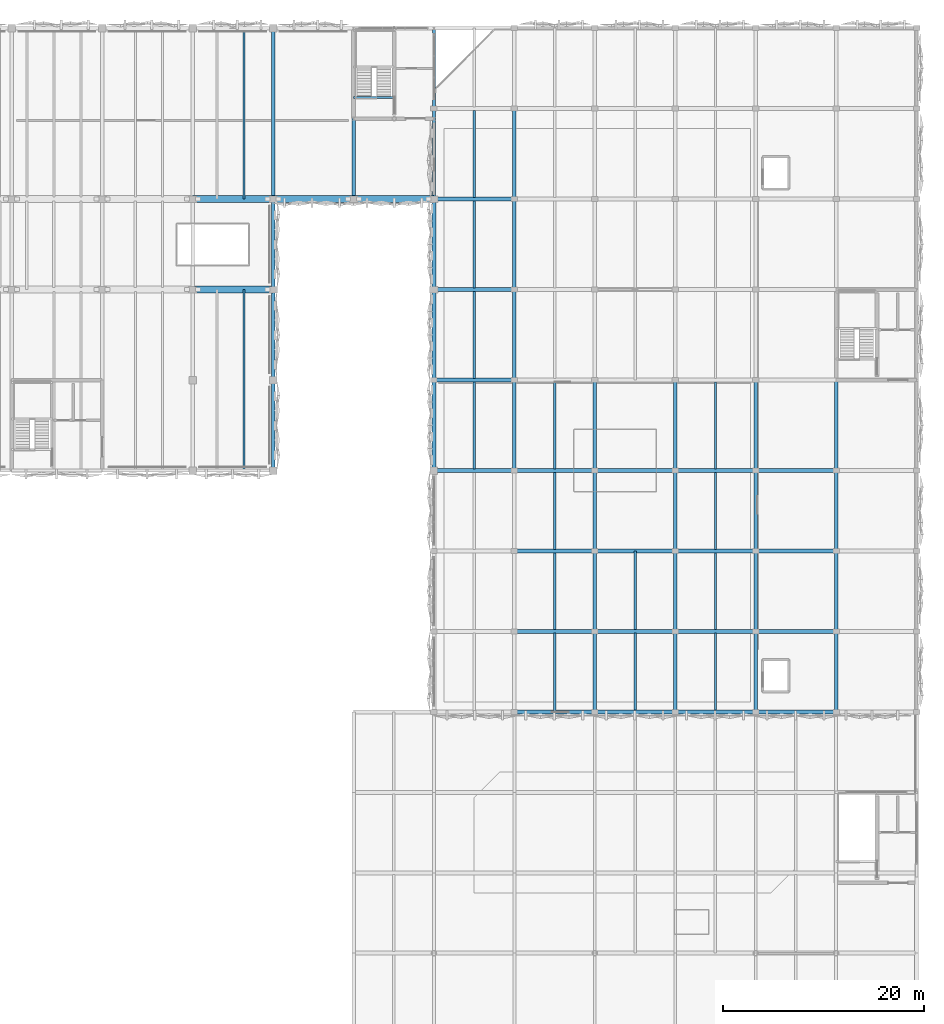
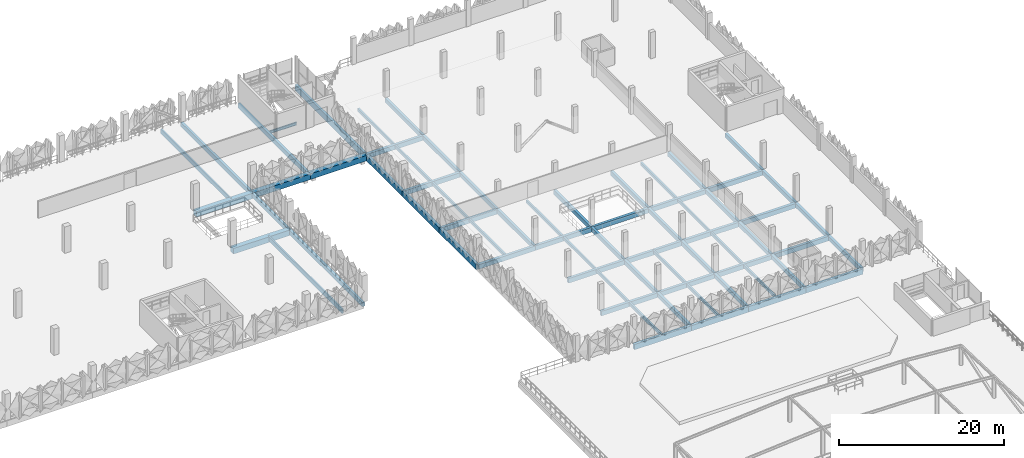
# One storey, part 24 of 76: 69 beams.
"""IFC4 building model written with IfcOpenShell, lengths in metres."""

from ifc_helpers import new_model, si_unit, derived_unit, direction, frame, origin, origin_2d, place, context, subcontext, project, spatial, rectangle, i_section, extrude, material, material_profile, profile_set, type_object, element, save


model = new_model("IFC4")

# Units and contexts
model_context = context("Model", 3, precision=1e-05, world=origin(), true_north=direction((0.0, 1.0)))
body_context = subcontext(model_context, "Body", "Model", "MODEL_VIEW")
ifc_project = project(units=[si_unit("LENGTHUNIT", "METRE"), si_unit("AREAUNIT", "SQUARE_METRE"), si_unit("VOLUMEUNIT", "CUBIC_METRE"), si_unit("PLANEANGLEUNIT", "RADIAN"), si_unit("MASSUNIT", "GRAM", prefix="KILO"), si_unit("THERMODYNAMICTEMPERATUREUNIT", "KELVIN"), derived_unit("THERMALTRANSMITTANCEUNIT", [(si_unit("POWERUNIT", "WATT"), 1), (si_unit("AREAUNIT", "SQUARE_METRE"), -1), (si_unit("THERMODYNAMICTEMPERATUREUNIT", "KELVIN"), -1)])], contexts=[model_context])

# Site, building, storey
site_placement = place(None, origin())
site = spatial("IfcSite", under=ifc_project, at=site_placement, CompositionType="ELEMENT")
building_placement = place(site_placement, origin())
building = spatial("IfcBuilding", under=site, at=building_placement, Name="Haiyu Intermodal Mobility Hub", CompositionType="ELEMENT")
storey_placement = place(building_placement, frame((0.0, 0.0, 17.300048828125)))
storey = spatial("IfcBuildingStorey", under=building, at=storey_placement, Name="L04", CompositionType="ELEMENT", Elevation=17.300048828125)

# Beams
ifc_material_1 = material(Name="Concrete C40", Category="concrete")
ifc_material_profile_1 = material_profile(ifc_material_1, rectangle(XDim=0.35009765625, YDim=0.64990234375, at=origin_2d()), Name="RCB350x650")
ifc_profile_set_1 = profile_set([ifc_material_profile_1], Name="Concrete C40")
beam_type_1 = type_object("IfcBeamType", Name="BM-CB04", PredefinedType="BEAM", material=ifc_profile_set_1)
beam_1_placement = place(storey_placement, frame((146.0, 104.0, -0.60009765625), z_axis=(0.0, 1.0, 0.0), x_axis=(-1.0, 0.0, 0.0)))
element("IfcBeam", 1, at=beam_1_placement, inside=storey, type_object=beam_type_1, Name="BM-V4E-L04-039", PredefinedType="BEAM", context=body_context, shape_type="SweptSolid", body=[
    extrude(rectangle(XDim=0.35009765625, YDim=0.64990234375, at=origin_2d()), origin(), (0.0, 0.0, 1.0), 18.0),
])
beam_2_placement = place(storey_placement, frame((146.0, 122.0, -0.60009765625), z_axis=(0.0, 1.0, 0.0), x_axis=(-1.0, 0.0, 0.0)))
element("IfcBeam", 2, at=beam_2_placement, inside=storey, type_object=beam_type_1, Name="BM-V4E-L04-040", PredefinedType="BEAM", context=body_context, shape_type="SweptSolid", body=[
    extrude(rectangle(XDim=0.35009765625, YDim=0.64990234375, at=origin_2d()), origin(), (0.0, 0.0, 1.0), 9.0),
])
for number, where, z_axis, x_axis, name in (
    (3, (146.0, 131.0, -0.60009765625), (0.0, 1.0, 0.0), (-1.0, 0.0, 0.0), "BM-V4E-L04-041"),
    (4, (154.0, 131.0, -0.60009765625), (0.0, 1.0, 0.0), (-1.0, 0.0, 0.0), "BM-V4E-L04-042"),
):
    element("IfcBeam", number, at=place(storey_placement, frame(where, z_axis=z_axis, x_axis=x_axis)), inside=storey, type_object=beam_type_1, Name=name, PredefinedType="BEAM", context=body_context, shape_type="SweptSolid", body=[
        extrude(rectangle(XDim=0.35009765625, YDim=0.64990234375, at=origin_2d()), origin(), (0.0, 0.0, 1.0), 17.0),
    ])
ifc_material_profile_2 = material_profile(ifc_material_1, rectangle(XDim=0.39990234375, YDim=0.800048828125, at=origin_2d()), Name="RCB400x800")
ifc_profile_set_2 = profile_set([ifc_material_profile_2], Name="Concrete C40")
beam_type_2 = type_object("IfcBeamType", Name="BM-CB05", PredefinedType="BEAM", material=ifc_profile_set_2)
for number, where, z_axis, x_axis, name in (
    (5, (170.0, 80.0, -0.699951171875), (1.0, 0.0, 0.0), (0.0, 1.0, 0.0), "BM-V5G-L04-058"),
    (6, (178.0, 80.0, -0.699951171875), (1.0, 0.0, 0.0), (0.0, 1.0, 0.0), "BM-V5G-L04-059"),
    (7, (186.0, 80.0, -0.699951171875), (1.0, 0.0, 0.0), (0.0, 1.0, 0.0), "BM-V5G-L04-060"),
    (8, (194.0, 80.0, -0.699951171875), (1.0, 0.0, 0.0), (0.0, 1.0, 0.0), "BM-V5G-L04-061"),
):
    element("IfcBeam", number, at=place(storey_placement, frame(where, z_axis=z_axis, x_axis=x_axis)), inside=storey, type_object=beam_type_2, Name=name, PredefinedType="BEAM", context=body_context, shape_type="SweptSolid", body=[
        extrude(rectangle(XDim=0.39990234375, YDim=0.800048828125, at=origin_2d()), origin(), (0.0, 0.0, 1.0), 8.0),
    ])
for number, where, z_axis, x_axis, name in (
    (9, (162.0, 104.0, -0.66015625), (0.0, 1.0, 0.0), (-1.0, 0.0, 0.0), "BM-V6T-L04-004"),
    (10, (162.0, 113.0, -0.66015625), (0.0, 1.0, 0.0), (-1.0, 0.0, 0.0), "BM-V6T-L04-005"),
    (11, (162.0, 122.0, -0.66015625), (0.0, 1.0, 0.0), (-1.0, 0.0, 0.0), "BM-V6T-L04-006"),
):
    element("IfcBeam", number, at=place(storey_placement, frame(where, z_axis=z_axis, x_axis=x_axis)), inside=storey, type_object=beam_type_2, Name=name, PredefinedType="BEAM", context=body_context, shape_type="SweptSolid", body=[
        extrude(rectangle(XDim=0.39990234375, YDim=0.800048828125, at=origin_2d()), origin(), (0.0, 0.0, 1.0), 9.0),
    ])
ifc_material_profile_3 = material_profile(ifc_material_1, rectangle(XDim=0.3798828125, YDim=0.679931640625, at=origin_2d()), Name="B380x680")
ifc_profile_set_3 = profile_set([ifc_material_profile_3], Name="Concrete C40")
beam_type_3 = type_object("IfcBeamType", Name="BM-CB15", PredefinedType="BEAM", material=ifc_profile_set_3)
for number, where, z_axis, x_axis, name in (
    (12, (170.0, 88.0, -0.60009765625), (1.0, 0.0, 0.0), (0.0, 1.0, 0.0), "BM-V6G-L04-008"),
    (13, (178.0, 88.0, -0.60009765625), (1.0, 0.0, 0.0), (0.0, 1.0, 0.0), "BM-V6G-L04-009"),
    (14, (186.0, 88.0, -0.60009765625), (1.0, 0.0, 0.0), (0.0, 1.0, 0.0), "BM-V6G-L04-010"),
    (15, (194.0, 88.0, -0.60009765625), (1.0, 0.0, 0.0), (0.0, 1.0, 0.0), "BM-V6G-L04-011"),
    (16, (170.0, 96.0, -0.60009765625), (1.0, 0.0, 0.0), (0.0, 1.0, 0.0), "BM-V6G-L04-014"),
    (17, (178.0, 96.0, -0.60009765625), (1.0, 0.0, 0.0), (0.0, 1.0, 0.0), "BM-V6G-L04-015"),
    (18, (186.0, 96.0, -0.60009765625), (1.0, 0.0, 0.0), (0.0, 1.0, 0.0), "BM-V6G-L04-016"),
    (19, (194.0, 96.0, -0.60009765625), (1.0, 0.0, 0.0), (0.0, 1.0, 0.0), "BM-V6G-L04-017"),
    (20, (162.0, 104.0, -0.60009765625), (1.0, 0.0, 0.0), (0.0, 1.0, 0.0), "BM-V6G-L04-019"),
    (21, (170.0, 104.0, -0.60009765625), (1.0, 0.0, 0.0), (0.0, 1.0, 0.0), "BM-V6G-L04-020"),
    (22, (178.0, 104.0, -0.60009765625), (1.0, 0.0, 0.0), (0.0, 1.0, 0.0), "BM-V6G-L04-021"),
    (23, (186.0, 104.0, -0.60009765625), (1.0, 0.0, 0.0), (0.0, 1.0, 0.0), "BM-V6G-L04-022"),
    (24, (194.0, 104.0, -0.60009765625), (1.0, 0.0, 0.0), (0.0, 1.0, 0.0), "BM-V6G-L04-023"),
    (25, (162.0, 113.0, -0.60009765625), (1.0, 0.0, 0.0), (0.0, 1.0, 0.0), "BM-V6G-L04-025"),
    (26, (162.0, 122.0, -0.60009765625), (1.0, 0.0, 0.0), (0.0, 1.0, 0.0), "BM-V6G-L04-031"),
    (27, (162.0, 131.0, -0.60009765625), (1.0, 0.0, 0.0), (0.0, 1.0, 0.0), "BM-V6G-L04-037"),
):
    element("IfcBeam", number, at=place(storey_placement, frame(where, z_axis=z_axis, x_axis=x_axis)), inside=storey, type_object=beam_type_3, Name=name, PredefinedType="BEAM", context=body_context, shape_type="SweptSolid", body=[
        extrude(rectangle(XDim=0.3798828125, YDim=0.679931640625, at=origin_2d()), origin(), (0.0, 0.0, 1.0), 8.0),
    ])
ifc_material_profile_4 = material_profile(ifc_material_1, rectangle(XDim=0.360107421875, YDim=0.6201171875, at=origin_2d()), Name="B360x620")
ifc_profile_set_4 = profile_set([ifc_material_profile_4], Name="Concrete C40")
beam_type_4 = type_object("IfcBeamType", Name="BM-CB16", PredefinedType="BEAM", material=ifc_profile_set_4)
for number, where, z_axis, x_axis, name in (
    (28, (170.0, 104.0, -0.570068359375), (0.0, 1.0, 0.0), (-1.0, 0.0, 0.0), "BM-V6T-L04-012"),
    (29, (170.0, 113.0, -0.570068359375), (0.0, 1.0, 0.0), (-1.0, 0.0, 0.0), "BM-V6T-L04-013"),
    (30, (170.0, 122.0, -0.570068359375), (0.0, 1.0, 0.0), (-1.0, 0.0, 0.0), "BM-V6T-L04-014"),
    (31, (170.0, 131.0, -0.570068359375), (0.0, 1.0, 0.0), (-1.0, 0.0, 0.0), "BM-V6T-L04-015"),
):
    element("IfcBeam", number, at=place(storey_placement, frame(where, z_axis=z_axis, x_axis=x_axis)), inside=storey, type_object=beam_type_4, Name=name, PredefinedType="BEAM", context=body_context, shape_type="SweptSolid", body=[
        extrude(rectangle(XDim=0.360107421875, YDim=0.6201171875, at=origin_2d()), origin(), (0.0, 0.0, 1.0), 9.0),
    ])
for number, where, z_axis, x_axis, name in (
    (32, (178.0, 80.0, -0.570068359375), (0.0, 1.0, 0.0), (-1.0, 0.0, 0.0), "BM-V6T-L04-017"),
    (33, (178.0, 88.0, -0.570068359375), (0.0, 1.0, 0.0), (-1.0, 0.0, 0.0), "BM-V6T-L04-018"),
    (34, (178.0, 96.0, -0.570068359375), (0.0, 1.0, 0.0), (-1.0, 0.0, 0.0), "BM-V6T-L04-019"),
):
    element("IfcBeam", number, at=place(storey_placement, frame(where, z_axis=z_axis, x_axis=x_axis)), inside=storey, type_object=beam_type_4, Name=name, PredefinedType="BEAM", context=body_context, shape_type="SweptSolid", body=[
        extrude(rectangle(XDim=0.360107421875, YDim=0.6201171875, at=origin_2d()), origin(), (0.0, 0.0, 1.0), 8.0),
    ])
beam_3_placement = place(storey_placement, frame((178.0, 104.0, -0.570068359375), z_axis=(0.0, 1.0, 0.0), x_axis=(-1.0, 0.0, 0.0)))
element("IfcBeam", 35, at=beam_3_placement, inside=storey, type_object=beam_type_4, Name="BM-V6T-L04-020", PredefinedType="BEAM", context=body_context, shape_type="SweptSolid", body=[
    extrude(rectangle(XDim=0.360107421875, YDim=0.6201171875, at=origin_2d()), origin(), (0.0, 0.0, 1.0), 9.0),
])
for number, where, z_axis, x_axis, name in (
    (36, (186.0, 80.0, -0.570068359375), (0.0, 1.0, 0.0), (-1.0, 0.0, 0.0), "BM-V6T-L04-025"),
    (37, (186.0, 88.0, -0.570068359375), (0.0, 1.0, 0.0), (-1.0, 0.0, 0.0), "BM-V6T-L04-026"),
    (38, (186.0, 96.0, -0.570068359375), (0.0, 1.0, 0.0), (-1.0, 0.0, 0.0), "BM-V6T-L04-027"),
):
    element("IfcBeam", number, at=place(storey_placement, frame(where, z_axis=z_axis, x_axis=x_axis)), inside=storey, type_object=beam_type_4, Name=name, PredefinedType="BEAM", context=body_context, shape_type="SweptSolid", body=[
        extrude(rectangle(XDim=0.360107421875, YDim=0.6201171875, at=origin_2d()), origin(), (0.0, 0.0, 1.0), 8.0),
    ])
beam_4_placement = place(storey_placement, frame((186.0, 104.0, -0.570068359375), z_axis=(0.0, 1.0, 0.0), x_axis=(-1.0, 0.0, 0.0)))
element("IfcBeam", 39, at=beam_4_placement, inside=storey, type_object=beam_type_4, Name="BM-V6T-L04-028", PredefinedType="BEAM", context=body_context, shape_type="SweptSolid", body=[
    extrude(rectangle(XDim=0.360107421875, YDim=0.6201171875, at=origin_2d()), origin(), (0.0, 0.0, 1.0), 9.0),
])
for number, where, z_axis, x_axis, name in (
    (40, (194.0, 80.0, -0.570068359375), (0.0, 1.0, 0.0), (-1.0, 0.0, 0.0), "BM-V6T-L04-033"),
    (41, (194.0, 88.0, -0.570068359375), (0.0, 1.0, 0.0), (-1.0, 0.0, 0.0), "BM-V6T-L04-034"),
    (42, (194.0, 96.0, -0.570068359375), (0.0, 1.0, 0.0), (-1.0, 0.0, 0.0), "BM-V6T-L04-035"),
):
    element("IfcBeam", number, at=place(storey_placement, frame(where, z_axis=z_axis, x_axis=x_axis)), inside=storey, type_object=beam_type_4, Name=name, PredefinedType="BEAM", context=body_context, shape_type="SweptSolid", body=[
        extrude(rectangle(XDim=0.360107421875, YDim=0.6201171875, at=origin_2d()), origin(), (0.0, 0.0, 1.0), 8.0),
    ])
beam_5_placement = place(storey_placement, frame((194.0, 104.0, -0.570068359375), z_axis=(0.0, 1.0, 0.0), x_axis=(-1.0, 0.0, 0.0)))
element("IfcBeam", 43, at=beam_5_placement, inside=storey, type_object=beam_type_4, Name="BM-V6T-L04-036", PredefinedType="BEAM", context=body_context, shape_type="SweptSolid", body=[
    extrude(rectangle(XDim=0.360107421875, YDim=0.6201171875, at=origin_2d()), origin(), (0.0, 0.0, 1.0), 9.0),
])
for number, where, z_axis, x_axis, name in (
    (44, (202.0, 80.0, -0.570068359375), (0.0, 1.0, 0.0), (-1.0, 0.0, 0.0), "BM-V6T-L04-041"),
    (45, (202.0, 88.0, -0.570068359375), (0.0, 1.0, 0.0), (-1.0, 0.0, 0.0), "BM-V6T-L04-042"),
    (46, (202.0, 96.0, -0.570068359375), (0.0, 1.0, 0.0), (-1.0, 0.0, 0.0), "BM-V6T-L04-043"),
):
    element("IfcBeam", number, at=place(storey_placement, frame(where, z_axis=z_axis, x_axis=x_axis)), inside=storey, type_object=beam_type_4, Name=name, PredefinedType="BEAM", context=body_context, shape_type="SweptSolid", body=[
        extrude(rectangle(XDim=0.360107421875, YDim=0.6201171875, at=origin_2d()), origin(), (0.0, 0.0, 1.0), 8.0),
    ])
beam_6_placement = place(storey_placement, frame((202.0, 104.0, -0.570068359375), z_axis=(0.0, 1.0, 0.0), x_axis=(-1.0, 0.0, 0.0)))
element("IfcBeam", 47, at=beam_6_placement, inside=storey, type_object=beam_type_4, Name="BM-V6T-L04-044", PredefinedType="BEAM", context=body_context, shape_type="SweptSolid", body=[
    extrude(rectangle(XDim=0.360107421875, YDim=0.6201171875, at=origin_2d()), origin(), (0.0, 0.0, 1.0), 9.0),
])
ifc_material_profile_5 = material_profile(ifc_material_1, rectangle(XDim=0.239990234375, YDim=0.43994140625, at=origin_2d()), Name="B240x440")
ifc_profile_set_5 = profile_set([ifc_material_profile_5], Name="Concrete C40")
beam_type_5 = type_object("IfcBeamType", Name="BM-CB19", PredefinedType="JOIST", material=ifc_profile_set_5)
for number, where, z_axis, x_axis, name in (
    (48, (166.0, 104.175048828125, -0.47998046875), (0.0, 1.0, 0.0), (-1.0, 0.0, 0.0), "BM-V6J-L04-004"),
    (49, (166.0, 113.175048828125, -0.47998046875), (0.0, 1.0, 0.0), (-1.0, 0.0, 0.0), "BM-V6J-L04-005"),
    (50, (166.0, 122.175048828125, -0.47998046875), (0.0, 1.0, 0.0), (-1.0, 0.0, 0.0), "BM-V6J-L04-006"),
    (51, (166.0, 131.175048828125, -0.47998046875), (0.0, 1.0, 0.0), (-1.0, 0.0, 0.0), "BM-V6J-L04-007"),
):
    element("IfcBeam", number, at=place(storey_placement, frame(where, z_axis=z_axis, x_axis=x_axis)), inside=storey, type_object=beam_type_5, Name=name, PredefinedType="JOIST", context=body_context, shape_type="SweptSolid", body=[
        extrude(rectangle(XDim=0.239990234375, YDim=0.43994140625, at=origin_2d()), origin(), (0.0, 0.0, 1.0), 8.64990234375),
    ])
beam_7_placement = place(storey_placement, frame((174.0, 80.0, -0.47998046875), z_axis=(0.0, 1.0, 0.0), x_axis=(-1.0, 0.0, 0.0)))
element("IfcBeam", 52, at=beam_7_placement, inside=storey, type_object=beam_type_5, Name="BM-V6J-L04-009", PredefinedType="JOIST", context=body_context, shape_type="SweptSolid", body=[
    extrude(rectangle(XDim=0.239990234375, YDim=0.43994140625, at=origin_2d()), origin(), (0.0, 0.0, 1.0), 7.824951171875),
])
for number, where, z_axis, x_axis, name in (
    (53, (174.0, 88.175048828125, -0.47998046875), (0.0, 1.0, 0.0), (-1.0, 0.0, 0.0), "BM-V6J-L04-010"),
    (54, (174.0, 96.175048828125, -0.47998046875), (0.0, 1.0, 0.0), (-1.0, 0.0, 0.0), "BM-V6J-L04-011"),
):
    element("IfcBeam", number, at=place(storey_placement, frame(where, z_axis=z_axis, x_axis=x_axis)), inside=storey, type_object=beam_type_5, Name=name, PredefinedType="JOIST", context=body_context, shape_type="SweptSolid", body=[
        extrude(rectangle(XDim=0.239990234375, YDim=0.43994140625, at=origin_2d()), origin(), (0.0, 0.0, 1.0), 7.64990234375),
    ])
beam_8_placement = place(storey_placement, frame((174.0, 104.175048828125, -0.47998046875), z_axis=(0.0, 1.0, 0.0), x_axis=(-1.0, 0.0, 0.0)))
element("IfcBeam", 55, at=beam_8_placement, inside=storey, type_object=beam_type_5, Name="BM-V6J-L04-012", PredefinedType="JOIST", context=body_context, shape_type="SweptSolid", body=[
    extrude(rectangle(XDim=0.239990234375, YDim=0.43994140625, at=origin_2d()), origin(), (0.0, 0.0, 1.0), 8.64990234375),
])
beam_9_placement = place(storey_placement, frame((182.0, 80.18505859375, -0.47998046875), z_axis=(0.0, 1.0, 0.0), x_axis=(-1.0, 0.0, 0.0)))
element("IfcBeam", 56, at=beam_9_placement, inside=storey, type_object=beam_type_5, Name="BM-V6J-L04-017", PredefinedType="JOIST", context=body_context, shape_type="SweptSolid", body=[
    extrude(rectangle(XDim=0.239990234375, YDim=0.43994140625, at=origin_2d()), origin(), (0.0, 0.0, 1.0), 7.639892578125),
])
beam_10_placement = place(storey_placement, frame((182.0, 88.175048828125, -0.47998046875), z_axis=(0.0, 1.0, 0.0), x_axis=(-1.0, 0.0, 0.0)))
element("IfcBeam", 57, at=beam_10_placement, inside=storey, type_object=beam_type_5, Name="BM-V6J-L04-018", PredefinedType="JOIST", context=body_context, shape_type="SweptSolid", body=[
    extrude(rectangle(XDim=0.239990234375, YDim=0.43994140625, at=origin_2d()), origin(), (0.0, 0.0, 1.0), 7.824951171875),
])
beam_11_placement = place(storey_placement, frame((190.0, 80.18505859375, -0.47998046875), z_axis=(0.0, 1.0, 0.0), x_axis=(-1.0, 0.0, 0.0)))
element("IfcBeam", 58, at=beam_11_placement, inside=storey, type_object=beam_type_5, Name="BM-V6J-L04-023", PredefinedType="JOIST", context=body_context, shape_type="SweptSolid", body=[
    extrude(rectangle(XDim=0.239990234375, YDim=0.43994140625, at=origin_2d()), origin(), (0.0, 0.0, 1.0), 7.639892578125),
])
for number, where, z_axis, x_axis, name in (
    (59, (190.0, 88.175048828125, -0.47998046875), (0.0, 1.0, 0.0), (-1.0, 0.0, 0.0), "BM-V6J-L04-024"),
    (60, (190.0, 96.175048828125, -0.47998046875), (0.0, 1.0, 0.0), (-1.0, 0.0, 0.0), "BM-V6J-L04-025"),
):
    element("IfcBeam", number, at=place(storey_placement, frame(where, z_axis=z_axis, x_axis=x_axis)), inside=storey, type_object=beam_type_5, Name=name, PredefinedType="JOIST", context=body_context, shape_type="SweptSolid", body=[
        extrude(rectangle(XDim=0.239990234375, YDim=0.43994140625, at=origin_2d()), origin(), (0.0, 0.0, 1.0), 7.64990234375),
    ])
beam_12_placement = place(storey_placement, frame((190.0, 104.175048828125, -0.47998046875), z_axis=(0.0, 1.0, 0.0), x_axis=(-1.0, 0.0, 0.0)))
element("IfcBeam", 61, at=beam_12_placement, inside=storey, type_object=beam_type_5, Name="BM-V6J-L04-026", PredefinedType="JOIST", context=body_context, shape_type="SweptSolid", body=[
    extrude(rectangle(XDim=0.239990234375, YDim=0.43994140625, at=origin_2d()), origin(), (0.0, 0.0, 1.0), 8.64990234375),
])
ifc_material_2 = material(Name="Precast concrete C50", Category="concrete")
ifc_material_profile_6 = material_profile(ifc_material_2, rectangle(XDim=0.199951171875, YDim=0.659912109375, at=origin_2d()), Name="PC200x660")
ifc_profile_set_6 = profile_set([ifc_material_profile_6], Name="Precast concrete C50")
beam_type_6 = type_object("IfcBeamType", Name="BM-DT03", PredefinedType="JOIST", material=ifc_profile_set_6)
beam_13_placement = place(storey_placement, frame((143.10009765625, 104.0, -0.60498046875), z_axis=(0.0, 1.0, 0.0), x_axis=(-1.0, 0.0, 0.0)))
element("IfcBeam", 62, at=beam_13_placement, inside=storey, type_object=beam_type_6, Name="BM-DT-L04-085", PredefinedType="JOIST", context=body_context, shape_type="SweptSolid", body=[
    extrude(rectangle(XDim=0.199951171875, YDim=0.659912109375, at=origin_2d()), origin(), (0.0, 0.0, 1.0), 18.0),
])
beam_14_placement = place(storey_placement, frame((143.10009765625, 131.0, -0.60498046875), z_axis=(0.0, 1.0, 0.0), x_axis=(-1.0, 0.0, 0.0)))
element("IfcBeam", 63, at=beam_14_placement, inside=storey, type_object=beam_type_6, Name="BM-DT-L04-086", PredefinedType="JOIST", context=body_context, shape_type="SweptSolid", body=[
    extrude(rectangle(XDim=0.199951171875, YDim=0.659912109375, at=origin_2d()), origin(), (0.0, 0.0, 1.0), 17.0),
])
ifc_material_profile_7 = material_profile(ifc_material_2, rectangle(XDim=0.679931640625, YDim=0.820068359375, at=origin_2d()), Name="B680x820")
ifc_profile_set_7 = profile_set([ifc_material_profile_7], Name="Precast concrete C50")
beam_type_7 = type_object("IfcBeamType", Name="BM-IT05", PredefinedType="T_BEAM", material=ifc_profile_set_7)
for number, where, z_axis, x_axis, name in (
    (64, (138.0, 122.0, -0.68505859375), (1.0, 0.0, 0.0), (0.0, 1.0, 0.0), "BM-V4G-L04-024"),
    (65, (138.0, 131.0, -0.68505859375), (1.0, 0.0, 0.0), (0.0, 1.0, 0.0), "BM-V4G-L04-038"),
    (66, (146.0, 131.0, -0.68505859375), (1.0, 0.0, 0.0), (0.0, 1.0, 0.0), "BM-V4G-L04-039"),
    (67, (154.0, 131.0, -0.68505859375), (1.0, 0.0, 0.0), (0.0, 1.0, 0.0), "BM-V4G-L04-040"),
):
    element("IfcBeam", number, at=place(storey_placement, frame(where, z_axis=z_axis, x_axis=x_axis)), inside=storey, type_object=beam_type_7, Name=name, PredefinedType="T_BEAM", context=body_context, shape_type="SweptSolid", body=[
        extrude(rectangle(XDim=0.679931640625, YDim=0.820068359375, at=origin_2d()), origin(), (0.0, 0.0, 1.0), 8.0),
    ])
ifc_material_3 = material(Name="Steel Q355C", Category="steel")
ifc_material_profile_8 = material_profile(ifc_material_3, i_section(OverallWidth=0.199951171875, OverallDepth=0.39990234375, WebThickness=0.008056640625, FlangeThickness=0.012939453125, FilletRadius=0.01611328125, at=origin_2d()), Name="HN400x200x8x13")
ifc_profile_set_8 = profile_set([ifc_material_profile_8], Name="Steel Q355C")
beam_type_8 = type_object("IfcBeamType", Name="BM-SB08", PredefinedType="JOIST", material=ifc_profile_set_8)
beam_15_placement = place(storey_placement, frame((154.0, 141.10009765625, -0.525146484375), z_axis=(1.0, 0.0, 0.0), x_axis=(0.0, 1.0, 0.0)))
element("IfcBeam", 68, at=beam_15_placement, inside=storey, type_object=beam_type_8, Name="Stair Arrival Trimmer Beam C4-L03", PredefinedType="JOIST", context=body_context, shape_type="SweptSolid", body=[
    extrude(i_section(OverallWidth=0.199951171875, OverallDepth=0.39990234375, WebThickness=0.008056640625, FlangeThickness=0.012939453125, FilletRadius=0.01611328125, at=origin_2d()), origin(), (0.0, 0.0, 1.0), 4.050048828125),
])
ifc_material_4 = material(Name="Precast concrete C40", Category="concrete")
ifc_material_profile_9 = material_profile(ifc_material_4, rectangle(XDim=0.340087890625, YDim=0.89990234375, at=origin_2d()), Name="B340x900")
ifc_profile_set_9 = profile_set([ifc_material_profile_9], Name="Precast concrete C40")
beam_type_9 = type_object("IfcBeamType", Name="BM-SP04", PredefinedType="SPANDREL", material=ifc_profile_set_9)
beam_16_placement = place(storey_placement, frame((162.0, 131.0, -0.72509765625), z_axis=(0.0, 1.0, 0.0), x_axis=(-1.0, 0.0, 0.0)))
element("IfcBeam", 69, at=beam_16_placement, inside=storey, type_object=beam_type_9, Name="BM-V4E-L04-043", PredefinedType="SPANDREL", context=body_context, shape_type="SweptSolid", body=[
    extrude(rectangle(XDim=0.340087890625, YDim=0.89990234375, at=origin_2d()), origin(), (0.0, 0.0, 1.0), 17.0),
])

save(model, "model.ifc")
